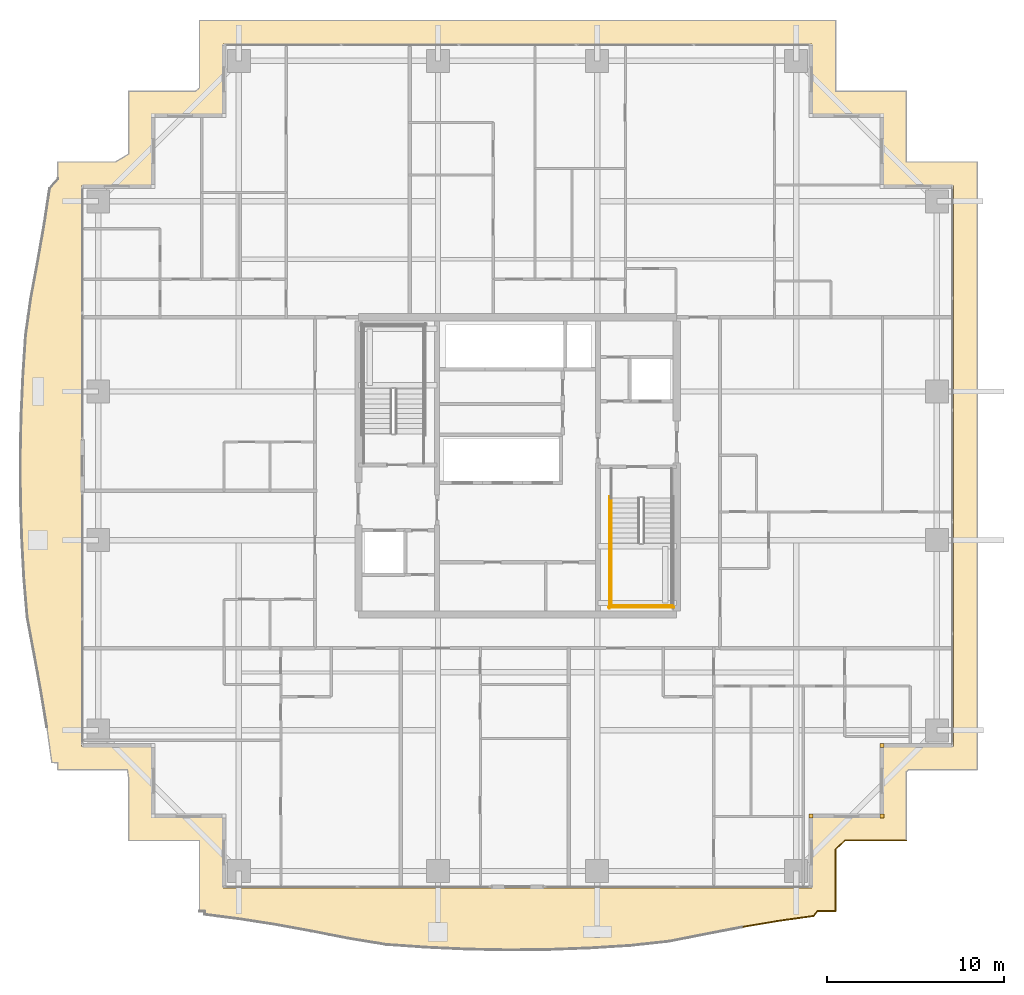
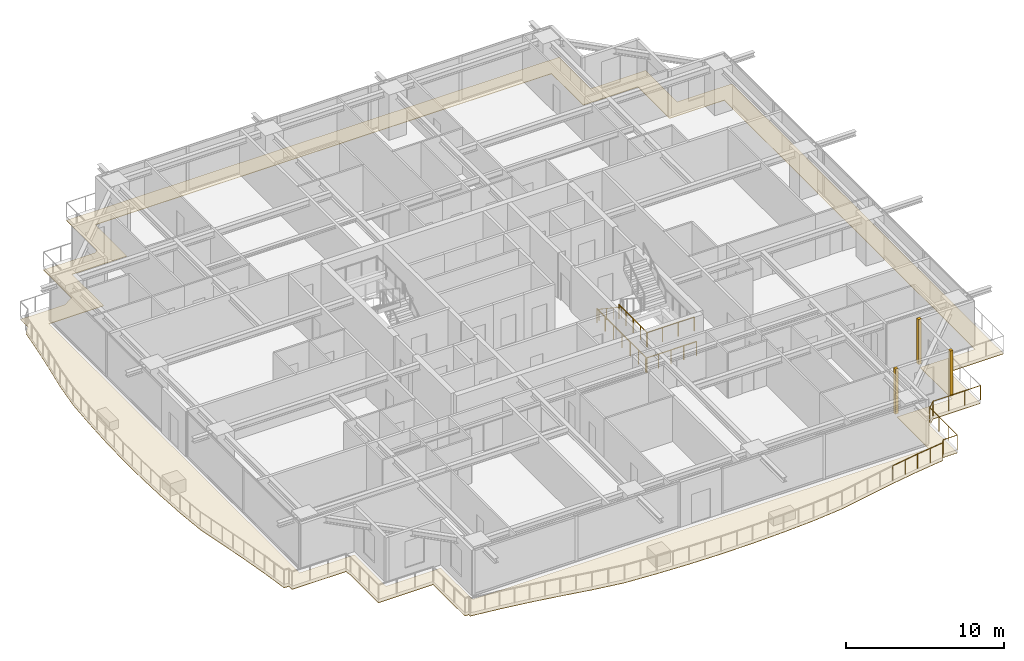
# One storey, part 33 of 35: 6 railings, 4 coverings.
"""IFC4 building model written with IfcOpenShell, lengths in metres."""

from ifc_helpers import new_model, si_unit, direction, frame, origin, origin_2d, place, context, subcontext, project, spatial, polyline, rectangle, circle, outline, extrude, source, transform, mapped, material, layer, layer_set, type_object, element, save


model = new_model("IFC4")

# Units and contexts
model_context = context("Model", 3, precision=1e-05, world=origin(), true_north=direction((0.0, 1.0)))
body_context = subcontext(model_context, "Body", "Model", "MODEL_VIEW")
ifc_project = project(units=[si_unit("LENGTHUNIT", "METRE"), si_unit("AREAUNIT", "SQUARE_METRE"), si_unit("VOLUMEUNIT", "CUBIC_METRE"), si_unit("PLANEANGLEUNIT", "RADIAN"), si_unit("MASSUNIT", "GRAM", prefix="KILO")], contexts=[model_context])

# Site, building, storey
site_placement = place(None, origin())
site = spatial("IfcSite", under=ifc_project, at=site_placement, CompositionType="ELEMENT")
building_placement = place(site_placement, origin())
building = spatial("IfcBuilding", under=site, at=building_placement, Name="Serunith Strait Residences", CompositionType="ELEMENT")
storey_placement = place(building_placement, frame((0.0, 0.0, 172.64990234375)))
storey = spatial("IfcBuildingStorey", under=building, at=storey_placement, Name="L43", CompositionType="ELEMENT", Elevation=172.64990234375)

# Covering
ifc_material_1 = material(Name="Golden Teak Exterior Timber Boarding", Category="wood")
ifc_layer_1 = layer(ifc_material_1, 0.034912109375, Name="Golden Teak Exterior Timber Boarding")
ifc_layer_set_1 = layer_set([ifc_layer_1], Name="Golden Teak Exterior Timber Boarding")
covering_type_1 = type_object("IfcCoveringType", Name="COV-TEAK-SOFFIT", PredefinedType="CEILING", material=ifc_layer_set_1)
covering_placement = place(storey_placement, frame((0.0, 0.0, -0.324951171875)))
element("IfcCovering", 1, at=covering_placement, inside=storey, type_object=covering_type_1, Name="L43 Golden-Teak Balcony Soffit Lining", PredefinedType="CEILING", context=body_context, shape_type="SweptSolid", body=[
    extrude(outline(polyline([(14.419921875, 0.02001953125), (14.419921875, 4.02001953125), (10.419921875, 4.02001953125), (10.419921875, 7.556640625), (10.351318359375, 8.02001953125), (6.419921875, 8.02001953125), (6.419921875, 8.415283203125), (6.075439453125, 8.43505859375), (5.7958984375, 10.43798828125), (5.462890625, 12.46142578125), (5.086181640625, 14.5224609375), (4.690185546875, 16.63916015625), (4.5009765625, 18.867919921875), (4.380859375, 21.1376953125), (4.31201171875, 23.43017578125), (4.300537109375, 25.733154296875), (4.347900390625, 28.03173828125), (4.449462890625, 30.31298828125), (4.595703125, 32.5654296875), (4.90087890625, 34.739013671875), (5.29150390625, 36.825927734375), (5.647705078125, 38.8662109375), (5.953857421875, 40.877685546875), (6.419921875, 41.42578125), (6.419921875, 42.3798828125), (9.680908203125, 42.3798828125), (10.419921875, 42.822998046875), (10.419921875, 46.3798828125), (14.1982421875, 46.3798828125), (14.419921875, 46.55908203125), (14.419921875, 50.3798828125), (50.3798828125, 50.3798828125), (50.3798828125, 46.3798828125), (54.3798828125, 46.3798828125), (54.3798828125, 42.3798828125), (58.3798828125, 42.3798828125), (58.3798828125, 8.02001953125), (54.51513671875, 8.02001953125), (54.3798828125, 7.921875), (54.3798828125, 4.02001953125), (50.906494140625, 4.02001953125), (50.3798828125, 3.513916015625), (50.3798828125, 0.02001953125), (49.347412109375, 0.02001953125), (49.153564453125, -0.251220703125), (47.156494140625, -0.529052734375), (45.1416015625, -0.8671875), (43.0908203125, -1.258056640625), (40.983154296875, -1.6787109375), (38.76171875, -1.918212890625), (36.485107421875, -2.059814453125), (34.180908203125, -2.146484375), (31.86328125, -2.169189453125), (29.548828125, -2.125244140625), (27.25341796875, -2.01953125), (24.989990234375, -1.86279296875), (22.823486328125, -1.509765625), (20.74267578125, -1.097900390625), (18.7099609375, -0.7275390625), (16.705078125, -0.4140625), (14.711669921875, -0.160400390625), (14.71337890625, 0.02001953125), (14.419921875, 0.02001953125)]), holes=[polyline([(49.054931640625, 1.344970703125), (49.054931640625, 5.344970703125), (53.054931640625, 5.344970703125), (53.054931640625, 9.344970703125), (57.054931640625, 9.344970703125), (57.054931640625, 41.054931640625), (53.054931640625, 41.054931640625), (53.054931640625, 45.054931640625), (49.054931640625, 45.054931640625), (49.054931640625, 49.054931640625), (15.7451171875, 49.054931640625), (15.7451171875, 45.054931640625), (11.7451171875, 45.054931640625), (11.7451171875, 41.054931640625), (7.7451171875, 41.054931640625), (7.7451171875, 9.344970703125), (11.7451171875, 9.344970703125), (11.7451171875, 5.344970703125), (15.7451171875, 5.344970703125), (15.7451171875, 1.344970703125), (49.054931640625, 1.344970703125)])]), origin(), (0.0, 0.0, 1.0), 0.03515625),
])

# Railings
ifc_material_2 = material(Name="Stainless Steel & Laminated Glass Balustrade", Category="steel")
railing_type_1 = type_object("IfcRailingType", Name="RLG-BALC-1150", PredefinedType="BALUSTRADE", material=ifc_material_2)
railing_1_placement = place(storey_placement, frame((54.3798828125, 4.02001953125, -0.0498046875)))
element("IfcRailing", 2, at=railing_1_placement, inside=storey, type_object=railing_type_1, Name="L43 Swirling Balcony Perimeter Balustrade 6", PredefinedType="BALUSTRADE", context=body_context, shape_type="SweptSolid", body=[
    extrude(circle(Radius=0.02392578125, at=origin_2d()), frame((-0.001953125, 0.0, 1.1259765625), z_axis=(-1.0, 0.0, 0.0), x_axis=(0.0, -1.0, 0.0)), (0.0, 0.0, 1.0), 3.469482421875),
    extrude(circle(Radius=0.02392578125, at=origin_2d()), frame((-3.474853515625, -0.00146484375, 1.1259765625), z_axis=(-0.72100646885, -0.692928330981, 0.0), x_axis=(0.692928330981, -0.72100646885, 0.0)), (0.0, 0.0, 1.0), 0.726318359375),
    extrude(circle(Radius=0.02392578125, at=origin_2d()), frame((-4.0, -0.508056640625, 1.1259765625), z_axis=(0.0, -1.0, 0.0), x_axis=(1.0, 0.0, 0.0)), (0.0, 0.0, 1.0), 3.489990234375),
    extrude(circle(Radius=0.02392578125, at=origin_2d()), frame((-4.001953125, -4.0, 1.1259765625), z_axis=(-1.0, 0.0, 0.0), x_axis=(0.0, -1.0, 0.0)), (0.0, 0.0, 1.0), 1.028564453125),
    extrude(circle(Radius=0.02392578125, at=origin_2d()), frame((-5.03369140625, -4.001708984375, 1.1259765625), z_axis=(-0.581445989554, -0.813585005535, 0.0), x_axis=(0.813585005535, -0.581445989554, 0.0)), (0.0, 0.0, 1.0), 0.329345703125),
    extrude(circle(Radius=0.02392578125, at=origin_2d()), frame((-5.228271484375, -4.271484375, 1.1259765625), z_axis=(-0.990461083258, -0.13779275217, 0.0), x_axis=(0.13779275217, -0.990461083258, 0.0)), (0.0, 0.0, 1.0), 2.01220703125),
    extrude(circle(Radius=0.02392578125, at=origin_2d()), frame((-7.225341796875, -4.54931640625, 1.1259765625), z_axis=(-0.986209215351, -0.165503424605, 0.0), x_axis=(0.165503424605, -0.986209215351, 0.0)), (0.0, 0.0, 1.0), 2.0390625),
    extrude(circle(Radius=0.02099609375, at=origin_2d()), origin(), (0.0, 0.0, 1.0), 1.099853515625),
    extrude(circle(Radius=0.02099609375, at=origin_2d()), frame((-1.15771484375, 0.0, 0.0)), (0.0, 0.0, 1.0), 1.099853515625),
    extrude(circle(Radius=0.02099609375, at=origin_2d()), frame((-2.315673828125, 0.0, 0.0)), (0.0, 0.0, 1.0), 1.099853515625),
    extrude(circle(Radius=0.02099609375, at=origin_2d()), frame((-3.473388671875, 0.0, 0.0)), (0.0, 0.0, 1.0), 1.099853515625),
    extrude(circle(Radius=0.02099609375, at=origin_2d()), frame((-4.0, -0.506103515625, 0.0)), (0.0, 0.0, 1.0), 1.099853515625),
    extrude(circle(Radius=0.02099609375, at=origin_2d()), frame((-4.0, -1.670654296875, 0.0)), (0.0, 0.0, 1.0), 1.099853515625),
    extrude(circle(Radius=0.02099609375, at=origin_2d()), frame((-4.0, -2.83544921875, 0.0)), (0.0, 0.0, 1.0), 1.099853515625),
    extrude(circle(Radius=0.02099609375, at=origin_2d()), frame((-4.0, -4.0, 0.0)), (0.0, 0.0, 1.0), 1.099853515625),
    extrude(circle(Radius=0.02099609375, at=origin_2d()), frame((-5.032470703125, -4.0, 0.0)), (0.0, 0.0, 1.0), 1.099853515625),
    extrude(circle(Radius=0.02099609375, at=origin_2d()), frame((-5.226318359375, -4.271240234375, 0.0)), (0.0, 0.0, 1.0), 1.099853515625),
    extrude(circle(Radius=0.02099609375, at=origin_2d()), frame((-6.224853515625, -4.41015625, 0.0)), (0.0, 0.0, 1.0), 1.099853515625),
    extrude(circle(Radius=0.02099609375, at=origin_2d()), frame((-7.223388671875, -4.549072265625, 0.0)), (0.0, 0.0, 1.0), 1.099853515625),
    extrude(circle(Radius=0.02099609375, at=origin_2d()), frame((-8.23095703125, -4.71826171875, 0.0)), (0.0, 0.0, 1.0), 1.099853515625),
    extrude(circle(Radius=0.02099609375, at=origin_2d()), frame((-9.23828125, -4.88720703125, 0.0)), (0.0, 0.0, 1.0), 1.099853515625),
])
ifc_material_3 = material(Name="Brushed stainless steel 316L", Category="steel")
railing_type_2 = type_object("IfcRailingType", Name="RLG-STAIR-GUARD", PredefinedType="BALUSTRADE", material=ifc_material_3)
railing_2_placement = place(storey_placement, frame((37.699951171875, 20.85009765625, 1.875)))
element("IfcRailing", 3, at=railing_2_placement, inside=storey, type_object=railing_type_2, Name="L43 ST-2 stair guard 3", PredefinedType="BALUSTRADE", context=body_context, shape_type="SweptSolid", body=[
    extrude(circle(Radius=0.02392578125, at=origin_2d()), frame((0.0, -0.001953125, 1.076171875), z_axis=(0.0, -1.0, 0.0), x_axis=(1.0, 0.0, 0.0)), (0.0, 0.0, 1.0), 3.59619140625),
    extrude(circle(Radius=0.02099609375, at=origin_2d()), origin(), (0.0, 0.0, 1.0), 1.050048828125),
    extrude(circle(Radius=0.02099609375, at=origin_2d()), frame((0.0, -0.89990234375, 0.0)), (0.0, 0.0, 1.0), 1.050048828125),
    extrude(circle(Radius=0.02099609375, at=origin_2d()), frame((0.0, -1.800048828125, 0.0)), (0.0, 0.0, 1.0), 1.050048828125),
    extrude(circle(Radius=0.02099609375, at=origin_2d()), frame((0.0, -2.7001953125, 0.0)), (0.0, 0.0, 1.0), 1.050048828125),
    extrude(circle(Radius=0.02099609375, at=origin_2d()), frame((0.0, -3.60009765625, 0.0)), (0.0, 0.0, 1.0), 1.050048828125),
])
railing_3_placement = place(storey_placement, frame((37.64990234375, 17.300048828125, 1.875)))
element("IfcRailing", 4, at=railing_3_placement, inside=storey, type_object=railing_type_2, Name="L43 ST-2 stair guard 5", PredefinedType="BALUSTRADE", context=body_context, shape_type="SweptSolid", body=[
    extrude(circle(Radius=0.02392578125, at=origin_2d()), frame((0.001953125, 0.0, 1.076171875), z_axis=(1.0, 0.0, 0.0), x_axis=(0.0, 1.0, 0.0)), (0.0, 0.0, 1.0), 3.49609375),
    extrude(circle(Radius=0.02099609375, at=origin_2d()), origin(), (0.0, 0.0, 1.0), 1.050048828125),
    extrude(circle(Radius=0.02099609375, at=origin_2d()), frame((1.166748046875, 0.0, 0.0)), (0.0, 0.0, 1.0), 1.050048828125),
    extrude(circle(Radius=0.02099609375, at=origin_2d()), frame((2.333251953125, 0.0, 0.0)), (0.0, 0.0, 1.0), 1.050048828125),
    extrude(circle(Radius=0.02099609375, at=origin_2d()), frame((3.5, 0.0, 0.0)), (0.0, 0.0, 1.0), 1.050048828125),
])
railing_4_placement = place(storey_placement, frame((37.60009765625, 23.469970703125, 0.0)))
element("IfcRailing", 5, at=railing_4_placement, inside=storey, type_object=railing_type_2, Name="L43 ST-2 stair guard 10", PredefinedType="BALUSTRADE", context=body_context, shape_type="SweptSolid", body=[
    extrude(circle(Radius=0.02392578125, at=origin_2d()), frame((0.0, -0.001953125, 1.076171875), z_axis=(0.0, -1.0, 0.0), x_axis=(1.0, 0.0, 0.0)), (0.0, 0.0, 1.0), 6.316162109375),
    extrude(circle(Radius=0.02099609375, at=origin_2d()), origin(), (0.0, 0.0, 1.0), 1.050048828125),
    extrude(circle(Radius=0.02099609375, at=origin_2d()), frame((0.0, -1.05322265625, 0.0)), (0.0, 0.0, 1.0), 1.050048828125),
    extrude(circle(Radius=0.02099609375, at=origin_2d()), frame((0.0, -2.106689453125, 0.0)), (0.0, 0.0, 1.0), 1.050048828125),
    extrude(circle(Radius=0.02099609375, at=origin_2d()), frame((0.0, -3.16015625, 0.0)), (0.0, 0.0, 1.0), 1.050048828125),
    extrude(circle(Radius=0.02099609375, at=origin_2d()), frame((0.0, -4.21337890625, 0.0)), (0.0, 0.0, 1.0), 1.050048828125),
    extrude(circle(Radius=0.02099609375, at=origin_2d()), frame((0.0, -5.2666015625, 0.0)), (0.0, 0.0, 1.0), 1.050048828125),
    extrude(circle(Radius=0.02099609375, at=origin_2d()), frame((0.0, -6.320068359375, 0.0)), (0.0, 0.0, 1.0), 1.050048828125),
])
railing_5_placement = place(storey_placement, frame((37.550048828125, 17.199951171875, 0.0)))
element("IfcRailing", 6, at=railing_5_placement, inside=storey, type_object=railing_type_2, Name="L43 ST-2 stair guard 12", PredefinedType="BALUSTRADE", context=body_context, shape_type="SweptSolid", body=[
    extrude(circle(Radius=0.02392578125, at=origin_2d()), frame((0.001953125, 0.0, 1.076171875), z_axis=(1.0, 0.0, 0.0), x_axis=(0.0, 1.0, 0.0)), (0.0, 0.0, 1.0), 3.696044921875),
    extrude(circle(Radius=0.02099609375, at=origin_2d()), origin(), (0.0, 0.0, 1.0), 1.050048828125),
    extrude(circle(Radius=0.02099609375, at=origin_2d()), frame((0.925048828125, 0.0, 0.0)), (0.0, 0.0, 1.0), 1.050048828125),
    extrude(circle(Radius=0.02099609375, at=origin_2d()), frame((1.85009765625, 0.0, 0.0)), (0.0, 0.0, 1.0), 1.050048828125),
    extrude(circle(Radius=0.02099609375, at=origin_2d()), frame((2.77490234375, 0.0, 0.0)), (0.0, 0.0, 1.0), 1.050048828125),
    extrude(circle(Radius=0.02099609375, at=origin_2d()), frame((3.699951171875, 0.0, 0.0)), (0.0, 0.0, 1.0), 1.050048828125),
])
railing_type_3 = type_object("IfcRailingType", Name="RLG-STAIR-HR", PredefinedType="HANDRAIL", material=ifc_material_3)
railing_6_placement = place(storey_placement, frame((37.699951171875, 23.3701171875, 0.1875)))
element("IfcRailing", 7, at=railing_6_placement, inside=storey, type_object=railing_type_3, Name="L43 ST-2 stair handrail 1", PredefinedType="HANDRAIL", context=body_context, shape_type="SweptSolid", body=[
    extrude(circle(Radius=0.02392578125, at=origin_2d()), frame((0.0, -0.001708984375, 0.876953125), z_axis=(0.0, -0.830208209119, 0.557453432594), x_axis=(1.0, 0.0, 0.0)), (0.0, 0.0, 1.0), 3.36865234375),
    extrude(circle(Radius=0.02099609375, at=origin_2d()), origin(), (0.0, 0.0, 1.0), 0.849853515625),
    extrude(circle(Radius=0.02099609375, at=origin_2d()), frame((0.0, -0.933349609375, 0.626708984375)), (0.0, 0.0, 1.0), 0.849853515625),
    extrude(circle(Radius=0.02099609375, at=origin_2d()), frame((0.0, -1.86669921875, 1.25341796875)), (0.0, 0.0, 1.0), 0.849853515625),
    extrude(circle(Radius=0.02099609375, at=origin_2d()), frame((0.0, -2.800048828125, 1.880126953125)), (0.0, 0.0, 1.0), 0.849853515625),
])

# Coverings
ifc_material_4 = material(Name="Pale-Champagne Anodised Aluminium", Category="aluminium")
ifc_layer_2 = layer(ifc_material_4, 0.219970703125, Name="Pale-Champagne Anodised Aluminium")
ifc_layer_set_2 = layer_set([ifc_layer_2], Name="Pale-Champagne Anodised Aluminium")
covering_type_2 = type_object("IfcCoveringType", Name="COV-CORN-TRIM", PredefinedType="CLADDING", material=ifc_layer_set_2)
shared_shape = source(origin(), body_context, "Body", "SweptSolid", [
    extrude(rectangle(XDim=0.221923828125, YDim=0.221923828125, at=origin_2d()), origin(), (0.0, 0.0, 1.0), 3.47509765625),
])
for number, where, z_axis, x_axis, name in (
    (8, (49.0, 5.39990234375, 0.0), (0.0, 0.0, 1.0), (1.0, 0.0, 0.0), "L43 Girih Serrated Corner Trim Post 02"),
    (9, (53.0, 5.39990234375, 0.0), (0.0, 0.0, 1.0), (1.0, 0.0, 0.0), "L43 Girih Serrated Corner Trim Post 03"),
    (10, (53.0, 9.39990234375, 0.0), (0.0, 0.0, 1.0), (1.0, 0.0, 0.0), "L43 Girih Serrated Corner Trim Post 04"),
):
    element("IfcCovering", number, at=place(storey_placement, frame(where, z_axis=z_axis, x_axis=x_axis)), inside=storey, type_object=covering_type_2, Name=name, PredefinedType="CLADDING", context=body_context, shape_type="MappedRepresentation", body=[
        mapped(shared_shape, transform((0.0, 0.0, 0.0), scale=1.0)),
    ])

save(model, "model.ifc")
